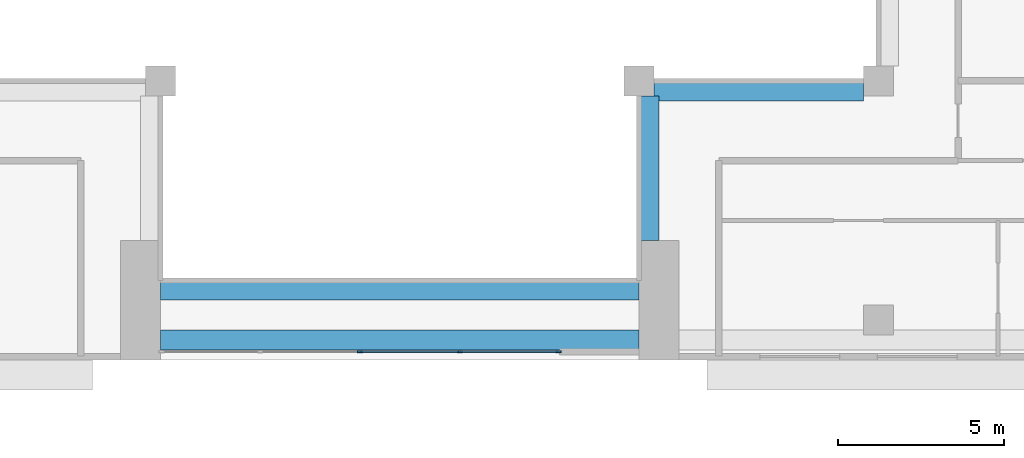
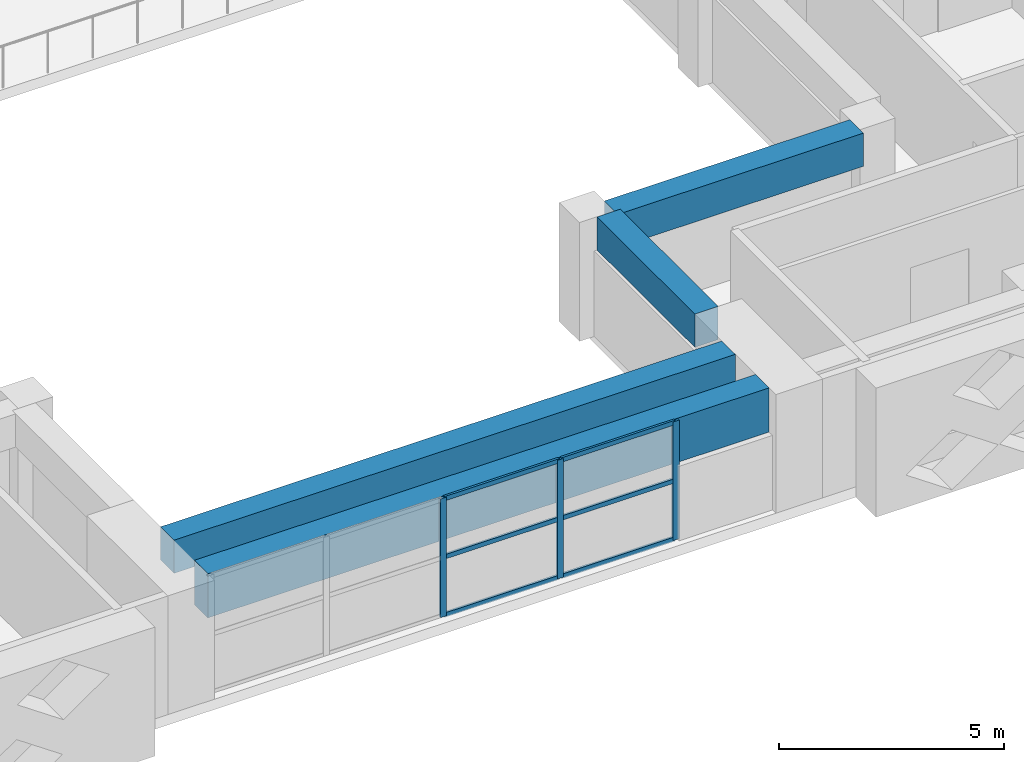
# One storey, part 4 of 19: 9 members, 4 beams, 1 element without a shape of its own.
"""IFC4 building model written with IfcOpenShell, lengths in metres."""

from ifc_helpers import new_model, si_unit, direction, frame, origin, origin_2d, place, context, subcontext, project, spatial, rectangle, extrude, source, transform, mapped, material, layer, layer_set, material_profile, profile_set, type_object, element, aggregate, save


model = new_model("IFC4")

# Units and contexts
model_context = context("Model", 3, precision=1e-05, world=origin(), true_north=direction((0.0, 1.0)))
body_context = subcontext(model_context, "Body", "Model", "MODEL_VIEW")
ifc_project = project(units=[si_unit("LENGTHUNIT", "METRE"), si_unit("AREAUNIT", "SQUARE_METRE"), si_unit("VOLUMEUNIT", "CUBIC_METRE"), si_unit("PLANEANGLEUNIT", "RADIAN"), si_unit("MASSUNIT", "GRAM", prefix="KILO")], contexts=[model_context])

# Site, building, storey
site_placement = place(None, origin())
site = spatial("IfcSite", under=ifc_project, at=site_placement, CompositionType="ELEMENT")
building_placement = place(site_placement, origin())
building = spatial("IfcBuilding", under=site, at=building_placement, Name="Saffron Iwan Residences", CompositionType="ELEMENT")
storey_placement = place(building_placement, frame((0.0, 0.0, 222.0)))
storey = spatial("IfcBuildingStorey", under=building, at=storey_placement, Name="L59", CompositionType="ELEMENT", Elevation=222.0)

# Beams
ifc_material_1 = material(Name="Concrete C40/50", Category="concrete")
ifc_material_profile_1 = material_profile(ifc_material_1, rectangle(XDim=0.60009765625, YDim=1.199951171875, at=origin_2d()), Name="RC 600x1200")
ifc_profile_set_1 = profile_set([ifc_material_profile_1], Name="Concrete C40/50")
beam_type_1 = type_object("IfcBeamType", Name="LINTEL BEAM RC 600x1200 C40/50 TOP 3220", PredefinedType="LINTEL", material=ifc_profile_set_1)
shared_shape_1 = source(origin(), body_context, "Body", "SweptSolid", [
    extrude(rectangle(XDim=0.60009765625, YDim=1.199951171875, at=origin_2d()), origin(), (0.0, 0.0, 1.0), 14.400146484375),
])
beam_1_placement = place(storey_placement, frame((57.60009765625, 40.199951171875, 2.6201171875), z_axis=(-1.0, 0.0, 0.0), x_axis=(0.0, -1.0, 0.0)))
element("IfcBeam", 1, at=beam_1_placement, inside=storey, type_object=beam_type_1, Name="Lintel beam over the iwan", PredefinedType="LINTEL", context=body_context, shape_type="MappedRepresentation", body=[
    mapped(shared_shape_1, transform((0.0, 0.0, 0.0))),
])
ifc_material_profile_2 = material_profile(ifc_material_1, rectangle(XDim=0.60009765625, YDim=0.89990234375, at=origin_2d()), Name="RC 600x900")
ifc_profile_set_2 = profile_set([ifc_material_profile_2], Name="Concrete C40/50")
beam_type_2 = type_object("IfcBeamType", Name="BEAM RC 600x900 C40/50 TOP 3220", PredefinedType="BEAM", material=ifc_profile_set_2)
shared_shape_2 = source(origin(), body_context, "Body", "SweptSolid", [
    extrude(rectangle(XDim=0.60009765625, YDim=0.89990234375, at=origin_2d()), origin(), (0.0, 0.0, 1.0), 14.400146484375),
])
beam_2_placement = place(storey_placement, frame((57.60009765625, 41.699951171875, 2.77001953125), z_axis=(-1.0, 0.0, 0.0), x_axis=(0.0, -1.0, 0.0)))
element("IfcBeam", 2, at=beam_2_placement, inside=storey, type_object=beam_type_2, Name="Atrium edge beam", PredefinedType="BEAM", context=body_context, shape_type="MappedRepresentation", body=[
    mapped(shared_shape_2, transform((0.0, 0.0, 0.0))),
])
shared_shape_3 = source(origin(), body_context, "Body", "SweptSolid", [
    extrude(rectangle(XDim=0.60009765625, YDim=0.89990234375, at=origin_2d()), origin(), (0.0, 0.0, 1.0), 4.35009765625),
])
beam_3_placement = place(storey_placement, frame((57.89990234375, 47.550048828125, 2.77001953125), z_axis=(0.0, -1.0, 0.0), x_axis=(1.0, 0.0, 0.0)))
element("IfcBeam", 3, at=beam_3_placement, inside=storey, type_object=beam_type_2, Name="Atrium edge beam", PredefinedType="BEAM", context=body_context, shape_type="MappedRepresentation", body=[
    mapped(shared_shape_3, transform((0.0, 0.0, 0.0))),
])
shared_shape_4 = source(origin(), body_context, "Body", "SweptSolid", [
    extrude(rectangle(XDim=0.60009765625, YDim=0.89990234375, at=origin_2d()), origin(), (0.0, 0.0, 1.0), 6.300048828125),
])
beam_4_placement = place(storey_placement, frame((64.35009765625, 47.699951171875, 2.77001953125), z_axis=(-1.0, 0.0, 0.0), x_axis=(0.0, -1.0, 0.0)))
element("IfcBeam", 4, at=beam_4_placement, inside=storey, type_object=beam_type_2, Name="Atrium edge beam", PredefinedType="BEAM", context=body_context, shape_type="MappedRepresentation", body=[
    mapped(shared_shape_4, transform((0.0, 0.0, 0.0))),
])

# Curtain wall, members
ifc_material_2 = material(Name="Clear glass, laminated double glazed", Category="glass")
ifc_layer = layer(ifc_material_2, 0.199951171875)
ifc_layer_set = layer_set([ifc_layer], Name="Clear glass, laminated double glazed")
curtain_wall_type = type_object("IfcCurtainWallType", Name="CW-B IWAN PORTAL", PredefinedType="NOTDEFINED", material=ifc_layer_set)
curtain_wall_placement = place(storey_placement, origin())
curtain_wall = element("IfcCurtainWall", 5, at=curtain_wall_placement, inside=storey, type_object=curtain_wall_type, Name="Iwan portal glazing L59.1", PredefinedType="NOTDEFINED")
ifc_material_3 = material(Name="Aluminium 6063-T6", Category="aluminium")
ifc_material_profile_3 = material_profile(ifc_material_3, rectangle(XDim=0.06005859375, YDim=0.1201171875, at=origin_2d()), Name="CW-B TRANSOM 60 x 120")
ifc_profile_set_3 = profile_set([ifc_material_profile_3], Name="Aluminium 6063-T6")
member_type_1 = type_object("IfcMemberType", Name="CW-B TRANSOM 60 x 120", PredefinedType="USERDEFINED", material=ifc_profile_set_3)
shared_shape_5 = source(origin(), body_context, "Body", "SweptSolid", [
    extrude(rectangle(XDim=0.06005859375, YDim=0.1201171875, at=origin_2d()), origin(), (0.0, 0.0, 1.0), 2.909912109375),
])
member_1_placement = place(storey_placement, frame((52.22998046875, 39.85009765625, 0.030029296875), z_axis=(1.0, 0.0, 0.0), x_axis=(0.0, 1.0, 0.0)))
member_1 = element("IfcMember", 6, at=member_1_placement, type_object=member_type_1, Name="CW-B transom 4.1", ObjectType="TRANSOM", PredefinedType="USERDEFINED", context=body_context, shape_type="MappedRepresentation", body=[
    mapped(shared_shape_5, transform((0.0, 0.0, 0.0))),
])
member_2_placement = place(storey_placement, frame((52.22998046875, 39.85009765625, 1.610107421875), z_axis=(1.0, 0.0, 0.0), x_axis=(0.0, 1.0, 0.0)))
member_2 = element("IfcMember", 7, at=member_2_placement, type_object=member_type_1, Name="CW-B transom 4.2", ObjectType="TRANSOM", PredefinedType="USERDEFINED", context=body_context, shape_type="MappedRepresentation", body=[
    mapped(shared_shape_5, transform((0.0, 0.0, 0.0))),
])
member_3_placement = place(storey_placement, frame((52.22998046875, 39.85009765625, 3.18994140625), z_axis=(1.0, 0.0, 0.0), x_axis=(0.0, 1.0, 0.0)))
member_3 = element("IfcMember", 8, at=member_3_placement, type_object=member_type_1, Name="CW-B transom 4.3", ObjectType="TRANSOM", PredefinedType="USERDEFINED", context=body_context, shape_type="MappedRepresentation", body=[
    mapped(shared_shape_5, transform((0.0, 0.0, 0.0))),
])
shared_shape_6 = source(origin(), body_context, "Body", "SweptSolid", [
    extrude(rectangle(XDim=0.06005859375, YDim=0.1201171875, at=origin_2d()), origin(), (0.0, 0.0, 1.0), 2.93994140625),
])
member_4_placement = place(storey_placement, frame((49.22998046875, 39.85009765625, 0.030029296875), z_axis=(1.0, 0.0, 0.0), x_axis=(0.0, 1.0, 0.0)))
member_4 = element("IfcMember", 9, at=member_4_placement, type_object=member_type_1, Name="CW-B transom 3.1", ObjectType="TRANSOM", PredefinedType="USERDEFINED", context=body_context, shape_type="MappedRepresentation", body=[
    mapped(shared_shape_6, transform((0.0, 0.0, 0.0))),
])
member_5_placement = place(storey_placement, frame((49.22998046875, 39.85009765625, 1.610107421875), z_axis=(1.0, 0.0, 0.0), x_axis=(0.0, 1.0, 0.0)))
member_5 = element("IfcMember", 10, at=member_5_placement, type_object=member_type_1, Name="CW-B transom 3.2", ObjectType="TRANSOM", PredefinedType="USERDEFINED", context=body_context, shape_type="MappedRepresentation", body=[
    mapped(shared_shape_6, transform((0.0, 0.0, 0.0))),
])
member_6_placement = place(storey_placement, frame((49.22998046875, 39.85009765625, 3.18994140625), z_axis=(1.0, 0.0, 0.0), x_axis=(0.0, 1.0, 0.0)))
member_6 = element("IfcMember", 11, at=member_6_placement, type_object=member_type_1, Name="CW-B transom 3.3", ObjectType="TRANSOM", PredefinedType="USERDEFINED", context=body_context, shape_type="MappedRepresentation", body=[
    mapped(shared_shape_6, transform((0.0, 0.0, 0.0))),
])
ifc_material_profile_4 = material_profile(ifc_material_3, rectangle(XDim=0.06005859375, YDim=0.159912109375, at=origin_2d()), Name="CW-B MULLION 60 x 160")
ifc_profile_set_4 = profile_set([ifc_material_profile_4], Name="Aluminium 6063-T6")
member_type_2 = type_object("IfcMemberType", Name="CW-B MULLION 60 x 160", PredefinedType="MULLION", material=ifc_profile_set_4)
shared_shape_7 = source(origin(), body_context, "Body", "SweptSolid", [
    extrude(rectangle(XDim=0.06005859375, YDim=0.159912109375, at=origin_2d()), origin(), (0.0, 0.0, 1.0), 3.219970703125),
])
member_7_placement = place(storey_placement, frame((49.199951171875, 39.85009765625, 0.0), z_axis=(0.0, 0.0, 1.0), x_axis=(0.0, 1.0, 0.0)))
member_7 = element("IfcMember", 12, at=member_7_placement, type_object=member_type_2, Name="CW-B mullion 3", PredefinedType="MULLION", context=body_context, shape_type="MappedRepresentation", body=[
    mapped(shared_shape_7, transform((0.0, 0.0, 0.0))),
])
member_8_placement = place(storey_placement, frame((52.199951171875, 39.85009765625, 0.0), z_axis=(0.0, 0.0, 1.0), x_axis=(0.0, 1.0, 0.0)))
member_8 = element("IfcMember", 13, at=member_8_placement, type_object=member_type_2, Name="CW-B mullion 4", PredefinedType="MULLION", context=body_context, shape_type="MappedRepresentation", body=[
    mapped(shared_shape_7, transform((0.0, 0.0, 0.0))),
])
member_9_placement = place(storey_placement, frame((55.169921875, 39.85009765625, 0.0), z_axis=(0.0, 0.0, 1.0), x_axis=(0.0, 1.0, 0.0)))
member_9 = element("IfcMember", 14, at=member_9_placement, type_object=member_type_2, Name="CW-B mullion 5", PredefinedType="MULLION", context=body_context, shape_type="MappedRepresentation", body=[
    mapped(shared_shape_7, transform((0.0, 0.0, 0.0))),
])
aggregate(curtain_wall, [member_7, member_8, member_9, member_4, member_5, member_6, member_1, member_2, member_3])

save(model, "model.ifc")
